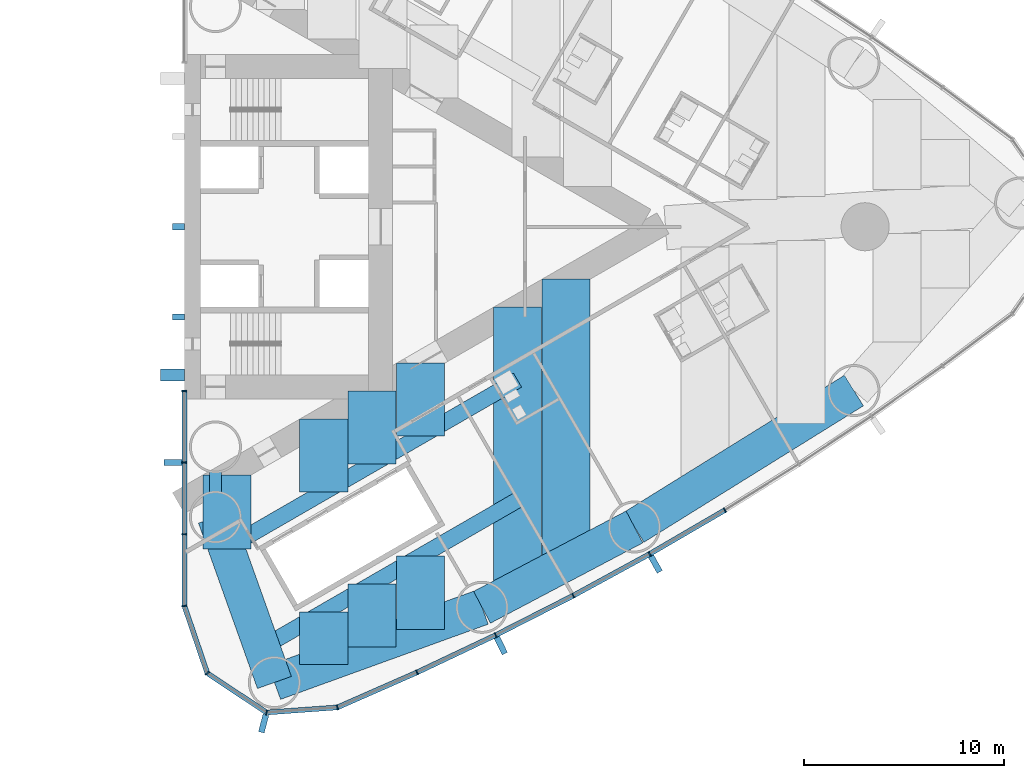
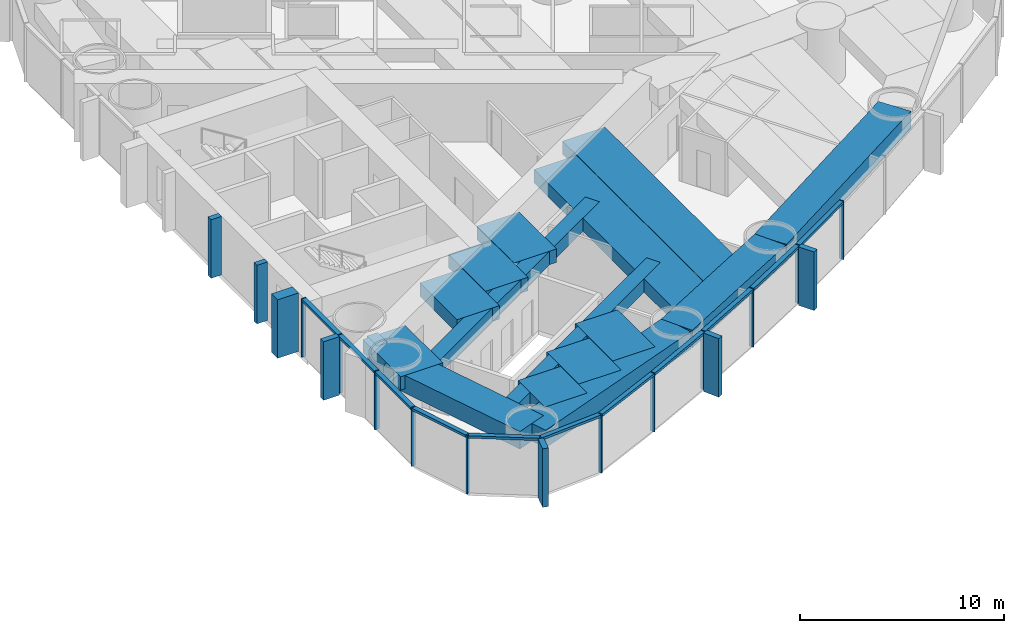
# One storey, part 6 of 18: 30 members, 16 beams, 1 element without a shape of its own.
"""IFC4 building model written with IfcOpenShell, lengths in metres."""

from ifc_helpers import new_model, si_unit, direction, frame, origin, origin_2d, place, context, subcontext, project, spatial, rectangle, hollow_rectangle, extrude, material, material_profile, profile_set, type_object, element, aggregate, save


model = new_model("IFC4")

# Units and contexts
model_context = context("Model", 3, precision=1e-05, world=origin(), true_north=direction((0.0, 1.0)))
body_context = subcontext(model_context, "Body", "Model", "MODEL_VIEW")
ifc_project = project(units=[si_unit("LENGTHUNIT", "METRE"), si_unit("AREAUNIT", "SQUARE_METRE"), si_unit("VOLUMEUNIT", "CUBIC_METRE"), si_unit("PLANEANGLEUNIT", "RADIAN"), si_unit("MASSUNIT", "GRAM", prefix="KILO")], contexts=[model_context])

# Site, building, storey
site_placement = place(None, origin())
site = spatial("IfcSite", under=ifc_project, at=site_placement, CompositionType="ELEMENT")
building_placement = place(site_placement, origin())
building = spatial("IfcBuilding", under=site, at=building_placement, Name="Lancet Gate Hotel", CompositionType="ELEMENT")
storey_placement = place(building_placement, frame((0.0, 0.0, 115.10009765625)))
storey = spatial("IfcBuildingStorey", under=building, at=storey_placement, Name="L30", CompositionType="ELEMENT", Elevation=115.10009765625)

# Curtain wall, members
ifc_material_1 = material(Name="Aluminium curtain wall", Category="aluminium")
curtain_wall_type = type_object("IfcCurtainWallType", Name="Tower unitised curtain wall", PredefinedType="USERDEFINED", material=ifc_material_1)
curtain_wall_placement = place(storey_placement, origin())
curtain_wall = element("IfcCurtainWall", 1, at=curtain_wall_placement, inside=storey, type_object=curtain_wall_type, Name="T2 L30 curtain wall 1", ObjectType="UNITISED CURTAIN WALL", PredefinedType="USERDEFINED")
ifc_material_2 = material(Name="Aluminium mullion", Category="aluminium")
ifc_material_profile_1 = material_profile(ifc_material_2, rectangle(XDim=0.06494140625, YDim=0.25, at=origin_2d()), Name="MULLION 65x250")
ifc_profile_set_1 = profile_set([ifc_material_profile_1], Name="Aluminium mullion")
member_type_1 = type_object("IfcMemberType", Name="Aluminium mullion 65x250", PredefinedType="MULLION", material=ifc_profile_set_1)
member_1_placement = place(storey_placement, frame((27.5, -8.199951171875, 0.0), z_axis=(0.0, 0.0, 1.0), x_axis=(0.0, -1.0, 0.0)))
member_1 = element("IfcMember", 2, at=member_1_placement, type_object=member_type_1, Name="T2 L30 curtain wall 1 mullion 1", PredefinedType="MULLION", context=body_context, shape_type="SweptSolid", body=[
    extrude(rectangle(XDim=0.06494140625, YDim=0.25, at=origin_2d()), origin(), (0.0, 0.0, 1.0), 3.5),
])
member_2_placement = place(storey_placement, frame((27.5, -11.781005859375, 0.0), z_axis=(0.0, 0.0, 1.0), x_axis=(0.0, -1.0, 0.0)))
member_2 = element("IfcMember", 3, at=member_2_placement, type_object=member_type_1, Name="T2 L30 curtain wall 1 mullion 2", PredefinedType="MULLION", context=body_context, shape_type="SweptSolid", body=[
    extrude(rectangle(XDim=0.06494140625, YDim=0.25, at=origin_2d()), origin(), (0.0, 0.0, 1.0), 3.5),
])
member_3_placement = place(storey_placement, frame((27.5, -15.362060546875, 0.0), z_axis=(0.0, 0.0, 1.0), x_axis=(0.0, -1.0, 0.0)))
member_3 = element("IfcMember", 4, at=member_3_placement, type_object=member_type_1, Name="T2 L30 curtain wall 1 mullion 3", PredefinedType="MULLION", context=body_context, shape_type="SweptSolid", body=[
    extrude(rectangle(XDim=0.06494140625, YDim=0.25, at=origin_2d()), origin(), (0.0, 0.0, 1.0), 3.5),
])
member_4_placement = place(storey_placement, frame((27.5, -18.94287109375, 0.0), z_axis=(0.0, 0.0, 1.0), x_axis=(0.162738742557, -0.986669195663, 0.0)))
member_4 = element("IfcMember", 5, at=member_4_placement, type_object=member_type_1, Name="T2 L30 curtain wall 1 mullion 4", PredefinedType="MULLION", context=body_context, shape_type="SweptSolid", body=[
    extrude(rectangle(XDim=0.06494140625, YDim=0.25, at=origin_2d()), origin(), (0.0, 0.0, 1.0), 3.5),
])
member_5_placement = place(storey_placement, frame((28.64453125, -22.301513671875, 0.0), z_axis=(0.0, 0.0, 1.0), x_axis=(0.610663954798, -0.79188984986, 0.0)))
member_5 = element("IfcMember", 6, at=member_5_placement, type_object=member_type_1, Name="T2 L30 curtain wall 1 mullion 5", PredefinedType="MULLION", context=body_context, shape_type="SweptSolid", body=[
    extrude(rectangle(XDim=0.06494140625, YDim=0.25, at=origin_2d()), origin(), (0.0, 0.0, 1.0), 3.5),
])
member_6_placement = place(storey_placement, frame((31.60205078125, -24.26220703125, 0.0), z_axis=(0.0, 0.0, 1.0), x_axis=(0.967157174963, -0.254179068604, 0.0)))
member_6 = element("IfcMember", 7, at=member_6_placement, type_object=member_type_1, Name="T2 L30 curtain wall 1 mullion 6", PredefinedType="MULLION", context=body_context, shape_type="SweptSolid", body=[
    extrude(rectangle(XDim=0.06494140625, YDim=0.25, at=origin_2d()), origin(), (0.0, 0.0, 1.0), 3.5),
])
member_7_placement = place(storey_placement, frame((35.141357421875, -24.009033203125, 0.0), z_axis=(0.0, 0.0, 1.0), x_axis=(0.966317378791, 0.257353304711, 0.0)))
member_7 = element("IfcMember", 8, at=member_7_placement, type_object=member_type_1, Name="T2 L30 curtain wall 1 mullion 7", PredefinedType="MULLION", context=body_context, shape_type="SweptSolid", body=[
    extrude(rectangle(XDim=0.06494140625, YDim=0.25, at=origin_2d()), origin(), (0.0, 0.0, 1.0), 3.5),
])
member_8_placement = place(storey_placement, frame((39.12109375, -22.259765625, 0.0), z_axis=(0.0, 0.0, 1.0), x_axis=(0.909672766767, 0.415325724465, 0.0)))
member_8 = element("IfcMember", 9, at=member_8_placement, type_object=member_type_1, Name="T2 L30 curtain wall 1 mullion 8", PredefinedType="MULLION", context=body_context, shape_type="SweptSolid", body=[
    extrude(rectangle(XDim=0.06494140625, YDim=0.25, at=origin_2d()), origin(), (0.0, 0.0, 1.0), 3.5),
])
member_9_placement = place(storey_placement, frame((43.0498046875, -20.398193359375, 0.0), z_axis=(0.0, 0.0, 1.0), x_axis=(0.897511886496, 0.440990264743, 0.0)))
member_9 = element("IfcMember", 10, at=member_9_placement, type_object=member_type_1, Name="T2 L30 curtain wall 1 mullion 9", PredefinedType="MULLION", context=body_context, shape_type="SweptSolid", body=[
    extrude(rectangle(XDim=0.06494140625, YDim=0.25, at=origin_2d()), origin(), (0.0, 0.0, 1.0), 3.5),
])
member_10_placement = place(storey_placement, frame((46.923828125, -18.426025390625, 0.0), z_axis=(0.0, 0.0, 1.0), x_axis=(0.884627112962, 0.466299121822, 0.0)))
member_10 = element("IfcMember", 11, at=member_10_placement, type_object=member_type_1, Name="T2 L30 curtain wall 1 mullion 10", PredefinedType="MULLION", context=body_context, shape_type="SweptSolid", body=[
    extrude(rectangle(XDim=0.06494140625, YDim=0.25, at=origin_2d()), origin(), (0.0, 0.0, 1.0), 3.5),
])
member_11_placement = place(storey_placement, frame((50.740478515625, -16.344482421875, 0.0), z_axis=(0.0, 0.0, 1.0), x_axis=(0.871028838445, 0.491231882716, 0.0)))
member_11 = element("IfcMember", 12, at=member_11_placement, type_object=member_type_1, Name="T2 L30 curtain wall 1 mullion 11", PredefinedType="MULLION", context=body_context, shape_type="SweptSolid", body=[
    extrude(rectangle(XDim=0.06494140625, YDim=0.25, at=origin_2d()), origin(), (0.0, 0.0, 1.0), 3.5),
])
member_12_placement = place(storey_placement, frame((54.496337890625, -14.1552734375, 0.0), z_axis=(0.0, 0.0, 1.0), x_axis=(0.856728030701, 0.515768437781, 0.0)))
member_12 = element("IfcMember", 13, at=member_12_placement, type_object=member_type_1, Name="T2 L30 curtain wall 1 mullion 12", PredefinedType="MULLION", context=body_context, shape_type="SweptSolid", body=[
    extrude(rectangle(XDim=0.06494140625, YDim=0.25, at=origin_2d()), origin(), (0.0, 0.0, 1.0), 3.5),
])
ifc_material_3 = material(Name="Aluminium transom", Category="aluminium")
ifc_material_profile_2 = material_profile(ifc_material_3, rectangle(XDim=0.25, YDim=0.14990234375, at=origin_2d()), Name="TRANSOM 250x150")
ifc_profile_set_2 = profile_set([ifc_material_profile_2], Name="Aluminium transom")
member_type_2 = type_object("IfcMemberType", Name="Aluminium transom 250x150", PredefinedType="USERDEFINED", material=ifc_profile_set_2)
member_13_placement = place(storey_placement, frame((27.5, -8.232421875, 3.4248046875), z_axis=(0.0, -1.0, 0.0), x_axis=(1.0, 0.0, 0.0)))
member_13 = element("IfcMember", 14, at=member_13_placement, type_object=member_type_2, Name="T2 L30 curtain wall 1 transom 1", ObjectType="TRANSOM", PredefinedType="USERDEFINED", context=body_context, shape_type="SweptSolid", body=[
    extrude(rectangle(XDim=0.25, YDim=0.14990234375, at=origin_2d()), origin(), (0.0, 0.0, 1.0), 3.51611328125),
])
member_14_placement = place(storey_placement, frame((27.5, -11.8134765625, 3.4248046875), z_axis=(0.0, -1.0, 0.0), x_axis=(1.0, 0.0, 0.0)))
member_14 = element("IfcMember", 15, at=member_14_placement, type_object=member_type_2, Name="T2 L30 curtain wall 1 transom 2", ObjectType="TRANSOM", PredefinedType="USERDEFINED", context=body_context, shape_type="SweptSolid", body=[
    extrude(rectangle(XDim=0.25, YDim=0.14990234375, at=origin_2d()), origin(), (0.0, 0.0, 1.0), 3.515869140625),
])
member_15_placement = place(storey_placement, frame((27.5, -15.39453125, 3.4248046875), z_axis=(0.0, -1.0, 0.0), x_axis=(1.0, 0.0, 0.0)))
member_15 = element("IfcMember", 16, at=member_15_placement, type_object=member_type_2, Name="T2 L30 curtain wall 1 transom 3", ObjectType="TRANSOM", PredefinedType="USERDEFINED", context=body_context, shape_type="SweptSolid", body=[
    extrude(rectangle(XDim=0.25, YDim=0.14990234375, at=origin_2d()), origin(), (0.0, 0.0, 1.0), 3.515869140625),
])
member_16_placement = place(storey_placement, frame((27.510498046875, -18.9736328125, 3.4248046875), z_axis=(0.322549769135, -0.946552505903, 0.0), x_axis=(0.946552505903, 0.322549769135, 0.0)))
member_16 = element("IfcMember", 17, at=member_16_placement, type_object=member_type_2, Name="T2 L30 curtain wall 1 transom 4", ObjectType="TRANSOM", PredefinedType="USERDEFINED", context=body_context, shape_type="SweptSolid", body=[
    extrude(rectangle(XDim=0.25, YDim=0.14990234375, at=origin_2d()), origin(), (0.0, 0.0, 1.0), 3.4833984375),
])
member_17_placement = place(storey_placement, frame((28.671630859375, -22.319580078125, 3.4248046875), z_axis=(0.833470854141, -0.552563421968, 0.0), x_axis=(0.552563421968, 0.833470854141, 0.0)))
member_17 = element("IfcMember", 18, at=member_17_placement, type_object=member_type_2, Name="T2 L30 curtain wall 1 transom 5", ObjectType="TRANSOM", PredefinedType="USERDEFINED", context=body_context, shape_type="SweptSolid", body=[
    extrude(rectangle(XDim=0.25, YDim=0.14990234375, at=origin_2d()), origin(), (0.0, 0.0, 1.0), 3.4833984375),
])
member_18_placement = place(storey_placement, frame((31.634521484375, -24.260009765625, 3.4248046875), z_axis=(0.997446232115, 0.071421383636, 0.0), x_axis=(-0.071421383636, 0.997446232115, 0.0)))
member_18 = element("IfcMember", 19, at=member_18_placement, type_object=member_type_2, Name="T2 L30 curtain wall 1 transom 6", ObjectType="TRANSOM", PredefinedType="USERDEFINED", context=body_context, shape_type="SweptSolid", body=[
    extrude(rectangle(XDim=0.25, YDim=0.14990234375, at=origin_2d()), origin(), (0.0, 0.0, 1.0), 3.483154296875),
])
member_19_placement = place(storey_placement, frame((35.171142578125, -23.995849609375, 3.4248046875), z_axis=(0.915484772266, 0.402352621155, 0.0), x_axis=(-0.402352621155, 0.915484772266, 0.0)))
member_19 = element("IfcMember", 20, at=member_19_placement, type_object=member_type_2, Name="T2 L30 curtain wall 1 transom 7", ObjectType="TRANSOM", PredefinedType="USERDEFINED", context=body_context, shape_type="SweptSolid", body=[
    extrude(rectangle(XDim=0.25, YDim=0.14990234375, at=origin_2d()), origin(), (0.0, 0.0, 1.0), 4.281982421875),
])
member_20_placement = place(storey_placement, frame((39.150634765625, -22.245849609375, 3.4248046875), z_axis=(0.903679787814, 0.428208875546, 0.0), x_axis=(-0.428208875546, 0.903679787814, 0.0)))
member_20 = element("IfcMember", 21, at=member_20_placement, type_object=member_type_2, Name="T2 L30 curtain wall 1 transom 8", ObjectType="TRANSOM", PredefinedType="USERDEFINED", context=body_context, shape_type="SweptSolid", body=[
    extrude(rectangle(XDim=0.25, YDim=0.14990234375, at=origin_2d()), origin(), (0.0, 0.0, 1.0), 4.282470703125),
])
member_21_placement = place(storey_placement, frame((43.07861328125, -20.383544921875, 3.4248046875), z_axis=(0.891165630033, 0.453678101574, 0.0), x_axis=(-0.453678101574, 0.891165630033, 0.0)))
member_21 = element("IfcMember", 22, at=member_21_placement, type_object=member_type_2, Name="T2 L30 curtain wall 1 transom 9", ObjectType="TRANSOM", PredefinedType="USERDEFINED", context=body_context, shape_type="SweptSolid", body=[
    extrude(rectangle(XDim=0.25, YDim=0.14990234375, at=origin_2d()), origin(), (0.0, 0.0, 1.0), 4.282470703125),
])
member_22_placement = place(storey_placement, frame((46.952392578125, -18.410400390625, 3.4248046875), z_axis=(0.877906466435, 0.478832158685, 0.0), x_axis=(-0.478832158685, 0.877906466435, 0.0)))
member_22 = element("IfcMember", 23, at=member_22_placement, type_object=member_type_2, Name="T2 L30 curtain wall 1 transom 10", ObjectType="TRANSOM", PredefinedType="USERDEFINED", context=body_context, shape_type="SweptSolid", body=[
    extrude(rectangle(XDim=0.25, YDim=0.14990234375, at=origin_2d()), origin(), (0.0, 0.0, 1.0), 4.282470703125),
])
member_23_placement = place(storey_placement, frame((50.7685546875, -16.327880859375, 3.4248046875), z_axis=(0.863973212152, 0.503537772847, 0.0), x_axis=(-0.503537772847, 0.863973212152, 0.0)))
member_23 = element("IfcMember", 24, at=member_23_placement, type_object=member_type_2, Name="T2 L30 curtain wall 1 transom 11", ObjectType="TRANSOM", PredefinedType="USERDEFINED", context=body_context, shape_type="SweptSolid", body=[
    extrude(rectangle(XDim=0.25, YDim=0.14990234375, at=origin_2d()), origin(), (0.0, 0.0, 1.0), 4.2822265625),
])

# Beams
ifc_material_4 = material(Name="Concrete C50/60", Category="concrete")
ifc_material_profile_3 = material_profile(ifc_material_4, rectangle(XDim=1.800048828125, YDim=1.050048828125, at=origin_2d()), Name="RC 1800x1050")
ifc_profile_set_3 = profile_set([ifc_material_profile_3], Name="Concrete C50/60")
beam_type_1 = type_object("IfcBeamType", Name="Edge beam RC 1800x1050", PredefinedType="SPANDREL", material=ifc_profile_set_3)
beam_1_placement = place(storey_placement, frame((31.99609375, -22.76318359375, 2.724853515625), z_axis=(0.940225039526, 0.340553777029, 0.0), x_axis=(-0.340553777029, 0.940225039526, 0.0)))
element("IfcBeam", 25, at=beam_1_placement, inside=storey, type_object=beam_type_1, Name="T2 edge beam EB1 L30", PredefinedType="SPANDREL", context=body_context, shape_type="SweptSolid", body=[
    extrude(rectangle(XDim=1.800048828125, YDim=1.050048828125, at=origin_2d()), origin(), (0.0, 0.0, 1.0), 11.029296875),
])
beam_2_placement = place(storey_placement, frame((42.3662109375, -19.007080078125, 2.724853515625), z_axis=(0.884632510133, 0.466288882578, 0.0), x_axis=(-0.466288882578, 0.884632510133, 0.0)))
element("IfcBeam", 26, at=beam_2_placement, inside=storey, type_object=beam_type_1, Name="T2 edge beam EB1 L30", PredefinedType="SPANDREL", context=body_context, shape_type="SweptSolid", body=[
    extrude(rectangle(XDim=1.800048828125, YDim=1.050048828125, at=origin_2d()), origin(), (0.0, 0.0, 1.0), 8.605712890625),
])
beam_3_placement = place(storey_placement, frame((49.97900390625, -14.994384765625, 2.724853515625), z_axis=(0.849312372751, 0.527890607505, 0.0), x_axis=(-0.527890607505, 0.849312372751, 0.0)))
element("IfcBeam", 27, at=beam_3_placement, inside=storey, type_object=beam_type_1, Name="T2 edge beam EB1 L30", PredefinedType="SPANDREL", context=body_context, shape_type="SweptSolid", body=[
    extrude(rectangle(XDim=1.800048828125, YDim=1.050048828125, at=origin_2d()), origin(), (0.0, 0.0, 1.0), 12.906494140625),
])
beam_4_placement = place(storey_placement, frame((31.99609375, -22.76318359375, 2.724853515625), z_axis=(-0.335821559388, 0.941925623523, 0.0), x_axis=(-0.941925623523, -0.335821559388, 0.0)))
element("IfcBeam", 28, at=beam_4_placement, inside=storey, type_object=beam_type_1, Name="T2 edge beam EB1 L30", PredefinedType="SPANDREL", context=body_context, shape_type="SweptSolid", body=[
    extrude(rectangle(XDim=1.800048828125, YDim=1.050048828125, at=origin_2d()), origin(), (0.0, 0.0, 1.0), 8.772705078125),
])

# Member
ifc_material_5 = material(Name="Concrete C60/75", Category="concrete")
ifc_material_profile_4 = material_profile(ifc_material_5, rectangle(XDim=0.60009765625, YDim=1.199951171875, at=origin_2d()), Name="FIN 600x1200")
ifc_profile_set_4 = profile_set([ifc_material_profile_4], Name="Concrete C60/75")
member_type_3 = type_object("IfcMemberType", Name="Exposed concrete buttress pilaster 600x1200", PredefinedType="USERDEFINED", material=ifc_profile_set_4)
member_24_placement = place(storey_placement, frame((26.909912109375, -7.39990234375, 0.0), z_axis=(0.0, 0.0, 1.0), x_axis=(0.0, 1.0, 0.0)))
element("IfcMember", 29, at=member_24_placement, inside=storey, type_object=member_type_3, Name="T2 buttress pilaster S L30", ObjectType="FIN", PredefinedType="USERDEFINED", context=body_context, shape_type="SweptSolid", body=[
    extrude(rectangle(XDim=0.60009765625, YDim=1.199951171875, at=origin_2d()), origin(), (0.0, 0.0, 1.0), 3.5),
])

ifc_material_6 = material(Name="Precast concrete C50/60", Category="concrete")
ifc_material_profile_5 = material_profile(ifc_material_6, rectangle(XDim=0.300048828125, YDim=0.89990234375, at=origin_2d()), Name="FIN 300x900")
ifc_profile_set_5 = profile_set([ifc_material_profile_5], Name="Precast concrete C50/60")
member_type_4 = type_object("IfcMemberType", Name="Exposed concrete fin 300x900", PredefinedType="USERDEFINED", material=ifc_profile_set_5)
member_25_placement = place(storey_placement, frame((26.925048828125, -11.781005859375, 0.0), z_axis=(0.0, 0.0, 1.0), x_axis=(0.0, -1.0, 0.0)))
member_25 = element("IfcMember", 30, at=member_25_placement, type_object=member_type_4, Name="T2 L30 curtain wall 1 fin 2", ObjectType="FIN", PredefinedType="USERDEFINED", context=body_context, shape_type="SweptSolid", body=[
    extrude(rectangle(XDim=0.300048828125, YDim=0.89990234375, at=origin_2d()), origin(), (0.0, 0.0, 1.0), 3.5),
])

member_26_placement = place(storey_placement, frame((31.455810546875, -24.818359375, 0.0), z_axis=(0.0, 0.0, 1.0), x_axis=(0.967157174963, -0.254179068604, 0.0)))
member_26 = element("IfcMember", 31, at=member_26_placement, type_object=member_type_4, Name="T2 L30 curtain wall 1 fin 6", ObjectType="FIN", PredefinedType="USERDEFINED", context=body_context, shape_type="SweptSolid", body=[
    extrude(rectangle(XDim=0.300048828125, YDim=0.89990234375, at=origin_2d()), origin(), (0.0, 0.0, 1.0), 3.5),
])

member_27_placement = place(storey_placement, frame((43.30322265625, -20.914306640625, 0.0), z_axis=(0.0, 0.0, 1.0), x_axis=(0.897511886496, 0.440990264743, 0.0)))
member_27 = element("IfcMember", 32, at=member_27_placement, type_object=member_type_4, Name="T2 L30 curtain wall 1 fin 9", ObjectType="FIN", PredefinedType="USERDEFINED", context=body_context, shape_type="SweptSolid", body=[
    extrude(rectangle(XDim=0.300048828125, YDim=0.89990234375, at=origin_2d()), origin(), (0.0, 0.0, 1.0), 3.5),
])

member_28_placement = place(storey_placement, frame((51.02294921875, -16.84521484375, 0.0), z_axis=(0.0, 0.0, 1.0), x_axis=(0.871028838445, 0.491231882716, 0.0)))
member_28 = element("IfcMember", 33, at=member_28_placement, type_object=member_type_4, Name="T2 L30 curtain wall 1 fin 11", ObjectType="FIN", PredefinedType="USERDEFINED", context=body_context, shape_type="SweptSolid", body=[
    extrude(rectangle(XDim=0.300048828125, YDim=0.89990234375, at=origin_2d()), origin(), (0.0, 0.0, 1.0), 3.5),
])

aggregate(curtain_wall, [member_1, member_2, member_25, member_3, member_4, member_5, member_6, member_26, member_7, member_8, member_9, member_27, member_10, member_11, member_28, member_12, member_13, member_14, member_15, member_16, member_17, member_18, member_19, member_20, member_21, member_22, member_23])

# Members
ifc_material_7 = material(Name="Concrete C60/75", Category="concrete")
ifc_material_profile_6 = material_profile(ifc_material_7, rectangle(XDim=0.300048828125, YDim=0.60009765625, at=origin_2d()), Name="FIN 300x600")
ifc_profile_set_6 = profile_set([ifc_material_profile_6], Name="Concrete C60/75")
member_type_5 = type_object("IfcMemberType", Name="Exposed concrete rib 300x600", PredefinedType="USERDEFINED", material=ifc_profile_set_6)
for number, where, z_axis, x_axis, name in (
    (34, (27.2099609375, -4.5, 0.0), (0.0, 0.0, 1.0), (0.0, 1.0, 0.0), "T2 core rib 1 L30"),
    (35, (27.2099609375, 0.0, 0.0), (0.0, 0.0, 1.0), (0.0, 1.0, 0.0), "T2 core rib 2 L30"),
):
    element("IfcMember", number, at=place(storey_placement, frame(where, z_axis=z_axis, x_axis=x_axis)), inside=storey, type_object=member_type_5, Name=name, ObjectType="FIN", PredefinedType="USERDEFINED", context=body_context, shape_type="SweptSolid", body=[
        extrude(rectangle(XDim=0.300048828125, YDim=0.60009765625, at=origin_2d()), origin(), (0.0, 0.0, 1.0), 3.5),
    ])

# Beams
ifc_material_8 = material(Name="Concrete C50/60", Category="concrete")
ifc_material_profile_7 = material_profile(ifc_material_8, rectangle(XDim=2.39990234375, YDim=0.800048828125, at=origin_2d()), Name="RC 2400x800")
ifc_profile_set_7 = profile_set([ifc_material_profile_7], Name="Concrete C50/60")
beam_type_2 = type_object("IfcBeamType", Name="Floor beam RC 2400x800", PredefinedType="BEAM", material=ifc_profile_set_7)
beam_5_placement = place(storey_placement, frame((29.6201171875, -16.099365234375, 2.849853515625), z_axis=(0.0, 1.0, 0.0), x_axis=(-1.0, 0.0, 0.0)))
element("IfcBeam", 36, at=beam_5_placement, inside=storey, type_object=beam_type_2, Name="T2 floor beam F01S L30", PredefinedType="BEAM", context=body_context, shape_type="SweptSolid", body=[
    extrude(rectangle(XDim=2.39990234375, YDim=0.800048828125, at=origin_2d()), origin(), (0.0, 0.0, 1.0), 3.69677734375),
])
beam_6_placement = place(storey_placement, frame((44.1416015625, -18.0712890625, 2.849853515625), z_axis=(0.0, 1.0, 0.0), x_axis=(-1.0, 0.0, 0.0)))
element("IfcBeam", 37, at=beam_6_placement, inside=storey, type_object=beam_type_2, Name="T2 floor beam F09S L30", PredefinedType="BEAM", context=body_context, shape_type="SweptSolid", body=[
    extrude(rectangle(XDim=2.39990234375, YDim=0.800048828125, at=origin_2d()), origin(), (0.0, 0.0, 1.0), 14.052490234375),
])
beam_7_placement = place(storey_placement, frame((46.561767578125, -16.795654296875, 2.849853515625), z_axis=(0.0, 1.0, 0.0), x_axis=(-1.0, 0.0, 0.0)))
element("IfcBeam", 38, at=beam_7_placement, inside=storey, type_object=beam_type_2, Name="T2 floor beam F11S L30", PredefinedType="BEAM", context=body_context, shape_type="SweptSolid", body=[
    extrude(rectangle(XDim=2.39990234375, YDim=0.800048828125, at=origin_2d()), origin(), (0.0, 0.0, 1.0), 14.17431640625),
])
beam_8_placement = place(storey_placement, frame((34.460693359375, -21.87060546875, 2.849853515625), z_axis=(0.0, 1.0, 0.0), x_axis=(-1.0, 0.0, 0.0)))
element("IfcBeam", 39, at=beam_8_placement, inside=storey, type_object=beam_type_2, Name="T2 floor beam F03SA L30", PredefinedType="BEAM", context=body_context, shape_type="SweptSolid", body=[
    extrude(rectangle(XDim=2.39990234375, YDim=0.800048828125, at=origin_2d()), origin(), (0.0, 0.0, 1.0), 2.62939453125),
])
beam_9_placement = place(storey_placement, frame((34.460693359375, -13.253662109375, 2.849853515625), z_axis=(0.0, 1.0, 0.0), x_axis=(-1.0, 0.0, 0.0)))
element("IfcBeam", 40, at=beam_9_placement, inside=storey, type_object=beam_type_2, Name="T2 floor beam F03SB L30", PredefinedType="BEAM", context=body_context, shape_type="SweptSolid", body=[
    extrude(rectangle(XDim=2.39990234375, YDim=0.800048828125, at=origin_2d()), origin(), (0.0, 0.0, 1.0), 3.645751953125),
])
beam_10_placement = place(storey_placement, frame((36.880859375, -20.993896484375, 2.849853515625), z_axis=(0.0, 1.0, 0.0), x_axis=(-1.0, 0.0, 0.0)))
element("IfcBeam", 41, at=beam_10_placement, inside=storey, type_object=beam_type_2, Name="T2 floor beam F05SA L30", PredefinedType="BEAM", context=body_context, shape_type="SweptSolid", body=[
    extrude(rectangle(XDim=2.39990234375, YDim=0.800048828125, at=origin_2d()), origin(), (0.0, 0.0, 1.0), 3.150146484375),
])
beam_11_placement = place(storey_placement, frame((36.880859375, -11.8564453125, 2.849853515625), z_axis=(0.0, 1.0, 0.0), x_axis=(-1.0, 0.0, 0.0)))
element("IfcBeam", 42, at=beam_11_placement, inside=storey, type_object=beam_type_2, Name="T2 floor beam F05SB L30", PredefinedType="BEAM", context=body_context, shape_type="SweptSolid", body=[
    extrude(rectangle(XDim=2.39990234375, YDim=0.800048828125, at=origin_2d()), origin(), (0.0, 0.0, 1.0), 3.645751953125),
])
beam_12_placement = place(storey_placement, frame((39.301025390625, -20.1171875, 2.849853515625), z_axis=(0.0, 1.0, 0.0), x_axis=(-1.0, 0.0, 0.0)))
element("IfcBeam", 43, at=beam_12_placement, inside=storey, type_object=beam_type_2, Name="T2 floor beam F07SA L30", PredefinedType="BEAM", context=body_context, shape_type="SweptSolid", body=[
    extrude(rectangle(XDim=2.39990234375, YDim=0.800048828125, at=origin_2d()), origin(), (0.0, 0.0, 1.0), 3.670654296875),
])
beam_13_placement = place(storey_placement, frame((39.301025390625, -10.458984375, 2.849853515625), z_axis=(0.0, 1.0, 0.0), x_axis=(-1.0, 0.0, 0.0)))
element("IfcBeam", 44, at=beam_13_placement, inside=storey, type_object=beam_type_2, Name="T2 floor beam F07SB L30", PredefinedType="BEAM", context=body_context, shape_type="SweptSolid", body=[
    extrude(rectangle(XDim=2.39990234375, YDim=0.800048828125, at=origin_2d()), origin(), (0.0, 0.0, 1.0), 3.6455078125),
])
ifc_material_9 = material(Name="Steel S460QL", Category="steel")
ifc_material_profile_8 = material_profile(ifc_material_9, hollow_rectangle(XDim=0.60009765625, YDim=1.5, WallThickness=0.050048828125, at=origin_2d()), Name="BOX 1500x600x50")
ifc_profile_set_8 = profile_set([ifc_material_profile_8], Name="Steel S460QL")
beam_type_3 = type_object("IfcBeamType", Name="Inner-face link beam BOX 1500x600x50", PredefinedType="BEAM", material=ifc_profile_set_8)
beam_14_placement = place(storey_placement, frame((29.050048828125, -13.25, 2.5), z_axis=(0.0, 1.0, 0.0), x_axis=(-1.0, 0.0, 0.0)))
element("IfcBeam", 45, at=beam_14_placement, inside=storey, type_object=beam_type_3, Name="T2 inner-face link beam LK1 L30", PredefinedType="BEAM", context=body_context, shape_type="SweptSolid", body=[
    extrude(hollow_rectangle(XDim=0.60009765625, YDim=1.5, WallThickness=0.050048828125, at=origin_2d()), origin(), (0.0, 0.0, 1.0), 1.0),
])
ifc_material_10 = material(Name="Steel S460QL", Category="steel")
ifc_material_profile_9 = material_profile(ifc_material_10, hollow_rectangle(XDim=0.800048828125, YDim=0.800048828125, WallThickness=0.080078125, at=origin_2d()), Name="BOX 800x800x80")
ifc_profile_set_9 = profile_set([ifc_material_profile_9], Name="Steel S460QL")
beam_type_4 = type_object("IfcBeamType", Name="Trimmer beam BOX 800x800x80", PredefinedType="BEAM", material=ifc_profile_set_9)
beam_15_placement = place(storey_placement, frame((29.6201171875, -16.048095703125, 2.849853515625), z_axis=(0.866036714307, 0.499980409089, 0.0), x_axis=(-0.499980409089, 0.866036714307, 0.0)))
element("IfcBeam", 46, at=beam_15_placement, inside=storey, type_object=beam_type_4, Name="T2 trimmer beam TR01S L30", PredefinedType="BEAM", context=body_context, shape_type="SweptSolid", body=[
    extrude(hollow_rectangle(XDim=0.800048828125, YDim=0.800048828125, WallThickness=0.080078125, at=origin_2d()), origin(), (0.0, 0.0, 1.0), 16.767822265625),
])
beam_16_placement = place(storey_placement, frame((31.375244140625, -21.0224609375, 2.849853515625), z_axis=(0.86603417384, 0.49998480951, 0.0), x_axis=(-0.49998480951, 0.86603417384, 0.0)))
element("IfcBeam", 47, at=beam_16_placement, inside=storey, type_object=beam_type_4, Name="T2 trimmer beam TR02S L30", PredefinedType="BEAM", context=body_context, shape_type="SweptSolid", body=[
    extrude(hollow_rectangle(XDim=0.800048828125, YDim=0.800048828125, WallThickness=0.080078125, at=origin_2d()), origin(), (0.0, 0.0, 1.0), 14.7412109375),
])

save(model, "model.ifc")
